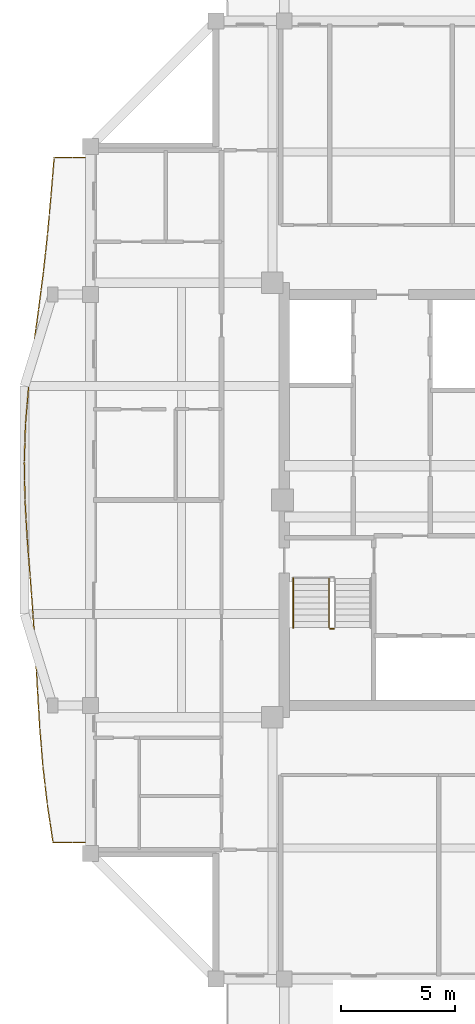
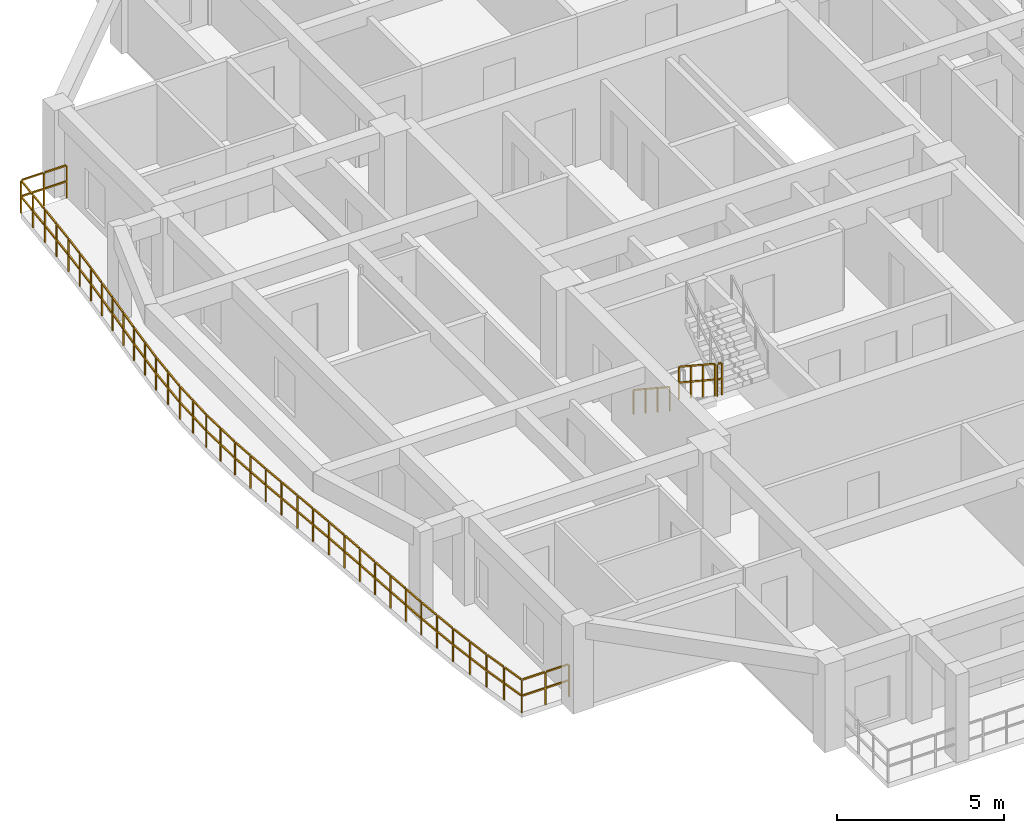
# One storey, part 8 of 11: 4 railings.
"""IFC4 building model written with IfcOpenShell, lengths in metres."""

from ifc_helpers import new_model, si_unit, direction, frame, origin, origin_2d, place, context, subcontext, project, spatial, rectangle, extrude, material, type_object, element, save


model = new_model("IFC4")

# Units and contexts
model_context = context("Model", 3, precision=1e-05, world=origin(), true_north=direction((0.0, 1.0)))
body_context = subcontext(model_context, "Body", "Model", "MODEL_VIEW")
ifc_project = project(units=[si_unit("LENGTHUNIT", "METRE"), si_unit("AREAUNIT", "SQUARE_METRE"), si_unit("VOLUMEUNIT", "CUBIC_METRE"), si_unit("PLANEANGLEUNIT", "RADIAN"), si_unit("MASSUNIT", "GRAM", prefix="KILO")], contexts=[model_context])

# Site, building, storey
site_placement = place(None, origin())
site = spatial("IfcSite", under=ifc_project, at=site_placement, CompositionType="ELEMENT")
building_placement = place(site_placement, origin())
building = spatial("IfcBuilding", under=site, at=building_placement, Name="Saelheon Loggia Tower", CompositionType="ELEMENT")
storey_placement = place(building_placement, frame((0.0, 0.0, 249.0)))
storey = spatial("IfcBuildingStorey", under=building, at=storey_placement, Name="L77", CompositionType="ELEMENT", Elevation=249.0)

# Railings
ifc_material_1 = material(Name="Architectural Precast Concrete and Laminated Glass Guard", Category="concrete")
railing_type_1 = type_object("IfcRailingType", Name="Guard_Loggia_RL_LOG", PredefinedType="BALUSTRADE", material=ifc_material_1)
railing_1_placement = place(storey_placement, frame((23.0, 42.0, 0.0)))
element("IfcRailing", 1, at=railing_1_placement, inside=storey, type_object=railing_type_1, Name="L77 West Loggia Balustrade", PredefinedType="BALUSTRADE", context=body_context, shape_type="SweptSolid", body=[
    extrude(rectangle(XDim=0.048095703125, YDim=0.048095703125, at=origin_2d()), frame((-0.033203125, 0.0, 1.19580078125), z_axis=(-1.0, 0.0, 0.0), x_axis=(0.0, -1.0, 0.0)), (0.0, 0.0, 1.0), 0.726318359375),
    extrude(rectangle(XDim=0.048095703125, YDim=0.048095703125, at=origin_2d()), frame((-0.033203125, 0.0, 0.60986328125), z_axis=(-1.0, 0.0, 0.0), x_axis=(0.0, -1.0, 0.0)), (0.0, 0.0, 1.0), 0.726318359375),
    extrude(rectangle(XDim=0.048095703125, YDim=0.048095703125, at=origin_2d()), frame((-0.826171875, 0.0, 1.19580078125), z_axis=(-1.0, 0.0, 0.0), x_axis=(0.0, -1.0, 0.0)), (0.0, 0.0, 1.0), 0.726318359375),
    extrude(rectangle(XDim=0.048095703125, YDim=0.048095703125, at=origin_2d()), frame((-0.826171875, 0.0, 0.60986328125), z_axis=(-1.0, 0.0, 0.0), x_axis=(0.0, -1.0, 0.0)), (0.0, 0.0, 1.0), 0.726318359375),
    extrude(rectangle(XDim=0.048095703125, YDim=0.048095703125, at=origin_2d()), frame((-1.58837890625, -0.033203125, 1.19580078125), z_axis=(-0.082622644176, -0.996580904227, 0.0), x_axis=(0.996580904227, -0.082622644176, 0.0)), (0.0, 0.0, 1.0), 0.769775390625),
    extrude(rectangle(XDim=0.048095703125, YDim=0.048095703125, at=origin_2d()), frame((-1.58837890625, -0.033203125, 0.60986328125), z_axis=(-0.082622644176, -0.996580904227, 0.0), x_axis=(0.996580904227, -0.082622644176, 0.0)), (0.0, 0.0, 1.0), 0.769775390625),
    extrude(rectangle(XDim=0.048095703125, YDim=0.048095703125, at=origin_2d()), frame((-1.657470703125, -0.866455078125, 1.19580078125), z_axis=(-0.082622644176, -0.996580904227, 0.0), x_axis=(0.996580904227, -0.082622644176, 0.0)), (0.0, 0.0, 1.0), 0.769775390625),
    extrude(rectangle(XDim=0.048095703125, YDim=0.048095703125, at=origin_2d()), frame((-1.657470703125, -0.866455078125, 0.60986328125), z_axis=(-0.082622644176, -0.996580904227, 0.0), x_axis=(0.996580904227, -0.082622644176, 0.0)), (0.0, 0.0, 1.0), 0.769775390625),
    extrude(rectangle(XDim=0.048095703125, YDim=0.048095703125, at=origin_2d()), frame((-1.726806640625, -1.699951171875, 1.19580078125), z_axis=(-0.089733224399, -0.995965836984, 0.0), x_axis=(0.995965836984, -0.089733224399, 0.0)), (0.0, 0.0, 1.0), 0.770263671875),
    extrude(rectangle(XDim=0.048095703125, YDim=0.048095703125, at=origin_2d()), frame((-1.726806640625, -1.699951171875, 0.60986328125), z_axis=(-0.089733224399, -0.995965836984, 0.0), x_axis=(0.995965836984, -0.089733224399, 0.0)), (0.0, 0.0, 1.0), 0.770263671875),
    extrude(rectangle(XDim=0.048095703125, YDim=0.048095703125, at=origin_2d()), frame((-1.802001953125, -2.533203125, 1.19580078125), z_axis=(-0.089733224399, -0.995965836984, 0.0), x_axis=(0.995965836984, -0.089733224399, 0.0)), (0.0, 0.0, 1.0), 0.770263671875),
    extrude(rectangle(XDim=0.048095703125, YDim=0.048095703125, at=origin_2d()), frame((-1.802001953125, -2.533203125, 0.60986328125), z_axis=(-0.089733224399, -0.995965836984, 0.0), x_axis=(0.995965836984, -0.089733224399, 0.0)), (0.0, 0.0, 1.0), 0.770263671875),
    extrude(rectangle(XDim=0.048095703125, YDim=0.048095703125, at=origin_2d()), frame((-1.877685546875, -3.3662109375, 1.19580078125), z_axis=(-0.108625418664, -0.9940827523, 0.0), x_axis=(0.9940827523, -0.108625418664, 0.0)), (0.0, 0.0, 1.0), 0.77197265625),
    extrude(rectangle(XDim=0.048095703125, YDim=0.048095703125, at=origin_2d()), frame((-1.877685546875, -3.3662109375, 0.60986328125), z_axis=(-0.108625418664, -0.9940827523, 0.0), x_axis=(0.9940827523, -0.108625418664, 0.0)), (0.0, 0.0, 1.0), 0.77197265625),
    extrude(rectangle(XDim=0.048095703125, YDim=0.048095703125, at=origin_2d()), frame((-1.96875, -4.19970703125, 1.19580078125), z_axis=(-0.108625418664, -0.9940827523, 0.0), x_axis=(0.9940827523, -0.108625418664, 0.0)), (0.0, 0.0, 1.0), 0.77197265625),
    extrude(rectangle(XDim=0.048095703125, YDim=0.048095703125, at=origin_2d()), frame((-1.96875, -4.19970703125, 0.60986328125), z_axis=(-0.108625418664, -0.9940827523, 0.0), x_axis=(0.9940827523, -0.108625418664, 0.0)), (0.0, 0.0, 1.0), 0.77197265625),
    extrude(rectangle(XDim=0.048095703125, YDim=0.048095703125, at=origin_2d()), frame((-2.060302734375, -5.032958984375, 1.19580078125), z_axis=(-0.127842269028, -0.991794512109, 0.0), x_axis=(0.991794512109, -0.127842269028, 0.0)), (0.0, 0.0, 1.0), 0.773681640625),
    extrude(rectangle(XDim=0.048095703125, YDim=0.048095703125, at=origin_2d()), frame((-2.060302734375, -5.032958984375, 0.60986328125), z_axis=(-0.127842269028, -0.991794512109, 0.0), x_axis=(0.991794512109, -0.127842269028, 0.0)), (0.0, 0.0, 1.0), 0.773681640625),
    extrude(rectangle(XDim=0.048095703125, YDim=0.048095703125, at=origin_2d()), frame((-2.167724609375, -5.866455078125, 1.19580078125), z_axis=(-0.127842269028, -0.991794512109, 0.0), x_axis=(0.991794512109, -0.127842269028, 0.0)), (0.0, 0.0, 1.0), 0.773681640625),
    extrude(rectangle(XDim=0.048095703125, YDim=0.048095703125, at=origin_2d()), frame((-2.167724609375, -5.866455078125, 0.60986328125), z_axis=(-0.127842269028, -0.991794512109, 0.0), x_axis=(0.991794512109, -0.127842269028, 0.0)), (0.0, 0.0, 1.0), 0.773681640625),
    extrude(rectangle(XDim=0.048095703125, YDim=0.048095703125, at=origin_2d()), frame((-2.275390625, -6.69970703125, 1.19580078125), z_axis=(-0.134426490543, -0.990923568516, 0.0), x_axis=(0.990923568516, -0.134426490543, 0.0)), (0.0, 0.0, 1.0), 0.7744140625),
    extrude(rectangle(XDim=0.048095703125, YDim=0.048095703125, at=origin_2d()), frame((-2.275390625, -6.69970703125, 0.60986328125), z_axis=(-0.134426490543, -0.990923568516, 0.0), x_axis=(0.990923568516, -0.134426490543, 0.0)), (0.0, 0.0, 1.0), 0.7744140625),
    extrude(rectangle(XDim=0.048095703125, YDim=0.048095703125, at=origin_2d()), frame((-2.388427734375, -7.532958984375, 1.19580078125), z_axis=(-0.134426490543, -0.990923568516, 0.0), x_axis=(0.990923568516, -0.134426490543, 0.0)), (0.0, 0.0, 1.0), 0.7744140625),
    extrude(rectangle(XDim=0.048095703125, YDim=0.048095703125, at=origin_2d()), frame((-2.388427734375, -7.532958984375, 0.60986328125), z_axis=(-0.134426490543, -0.990923568516, 0.0), x_axis=(0.990923568516, -0.134426490543, 0.0)), (0.0, 0.0, 1.0), 0.7744140625),
    extrude(rectangle(XDim=0.048095703125, YDim=0.048095703125, at=origin_2d()), frame((-2.5009765625, -8.3662109375, 1.19580078125), z_axis=(-0.120114226524, -0.992760078058, 0.0), x_axis=(0.992760078058, -0.120114226524, 0.0)), (0.0, 0.0, 1.0), 0.77294921875),
    extrude(rectangle(XDim=0.048095703125, YDim=0.048095703125, at=origin_2d()), frame((-2.5009765625, -8.3662109375, 0.60986328125), z_axis=(-0.120114226524, -0.992760078058, 0.0), x_axis=(0.992760078058, -0.120114226524, 0.0)), (0.0, 0.0, 1.0), 0.77294921875),
    extrude(rectangle(XDim=0.048095703125, YDim=0.048095703125, at=origin_2d()), frame((-2.601806640625, -9.19970703125, 1.19580078125), z_axis=(-0.120114226524, -0.992760078058, 0.0), x_axis=(0.992760078058, -0.120114226524, 0.0)), (0.0, 0.0, 1.0), 0.77294921875),
    extrude(rectangle(XDim=0.048095703125, YDim=0.048095703125, at=origin_2d()), frame((-2.601806640625, -9.19970703125, 0.60986328125), z_axis=(-0.120114226524, -0.992760078058, 0.0), x_axis=(0.992760078058, -0.120114226524, 0.0)), (0.0, 0.0, 1.0), 0.77294921875),
    extrude(rectangle(XDim=0.048095703125, YDim=0.048095703125, at=origin_2d()), frame((-2.701416015625, -10.033203125, 1.19580078125), z_axis=(-0.083637374408, -0.996496256692, 0.0), x_axis=(0.996496256692, -0.083637374408, 0.0)), (0.0, 0.0, 1.0), 0.769775390625),
    extrude(rectangle(XDim=0.048095703125, YDim=0.048095703125, at=origin_2d()), frame((-2.701416015625, -10.033203125, 0.60986328125), z_axis=(-0.083637374408, -0.996496256692, 0.0), x_axis=(0.996496256692, -0.083637374408, 0.0)), (0.0, 0.0, 1.0), 0.769775390625),
    extrude(rectangle(XDim=0.048095703125, YDim=0.048095703125, at=origin_2d()), frame((-2.771484375, -10.866455078125, 1.19580078125), z_axis=(-0.083637374408, -0.996496256692, 0.0), x_axis=(0.996496256692, -0.083637374408, 0.0)), (0.0, 0.0, 1.0), 0.769775390625),
    extrude(rectangle(XDim=0.048095703125, YDim=0.048095703125, at=origin_2d()), frame((-2.771484375, -10.866455078125, 0.60986328125), z_axis=(-0.083637374408, -0.996496256692, 0.0), x_axis=(0.996496256692, -0.083637374408, 0.0)), (0.0, 0.0, 1.0), 0.769775390625),
    extrude(rectangle(XDim=0.048095703125, YDim=0.048095703125, at=origin_2d()), frame((-2.839599609375, -11.699951171875, 1.19580078125), z_axis=(-0.032944311089, -0.999457188861, 0.0), x_axis=(0.999457188861, -0.032944311089, 0.0)), (0.0, 0.0, 1.0), 0.767333984375),
    extrude(rectangle(XDim=0.048095703125, YDim=0.048095703125, at=origin_2d()), frame((-2.839599609375, -11.699951171875, 0.60986328125), z_axis=(-0.032944311089, -0.999457188861, 0.0), x_axis=(0.999457188861, -0.032944311089, 0.0)), (0.0, 0.0, 1.0), 0.767333984375),
    extrude(rectangle(XDim=0.048095703125, YDim=0.048095703125, at=origin_2d()), frame((-2.8671875, -12.533203125, 1.19580078125), z_axis=(-0.032944311089, -0.999457188861, 0.0), x_axis=(0.999457188861, -0.032944311089, 0.0)), (0.0, 0.0, 1.0), 0.767333984375),
    extrude(rectangle(XDim=0.048095703125, YDim=0.048095703125, at=origin_2d()), frame((-2.8671875, -12.533203125, 0.60986328125), z_axis=(-0.032944311089, -0.999457188861, 0.0), x_axis=(0.999457188861, -0.032944311089, 0.0)), (0.0, 0.0, 1.0), 0.767333984375),
    extrude(rectangle(XDim=0.048095703125, YDim=0.048095703125, at=origin_2d()), frame((-2.892822265625, -13.366455078125, 1.19580078125), z_axis=(0.018892189386, -0.999821526664, 0.0), x_axis=(0.999821526664, 0.018892189386, 0.0)), (0.0, 0.0, 1.0), 0.76708984375),
    extrude(rectangle(XDim=0.048095703125, YDim=0.048095703125, at=origin_2d()), frame((-2.892822265625, -13.366455078125, 0.60986328125), z_axis=(0.018892189386, -0.999821526664, 0.0), x_axis=(0.999821526664, 0.018892189386, 0.0)), (0.0, 0.0, 1.0), 0.76708984375),
    extrude(rectangle(XDim=0.048095703125, YDim=0.048095703125, at=origin_2d()), frame((-2.877197265625, -14.199951171875, 1.19580078125), z_axis=(0.018892189386, -0.999821526664, 0.0), x_axis=(0.999821526664, 0.018892189386, 0.0)), (0.0, 0.0, 1.0), 0.76708984375),
    extrude(rectangle(XDim=0.048095703125, YDim=0.048095703125, at=origin_2d()), frame((-2.877197265625, -14.199951171875, 0.60986328125), z_axis=(0.018892189386, -0.999821526664, 0.0), x_axis=(0.999821526664, 0.018892189386, 0.0)), (0.0, 0.0, 1.0), 0.76708984375),
    extrude(rectangle(XDim=0.048095703125, YDim=0.048095703125, at=origin_2d()), frame((-2.860107421875, -15.033203125, 1.19580078125), z_axis=(0.057761901726, -0.998330387552, 0.0), x_axis=(0.998330387552, 0.057761901726, 0.0)), (0.0, 0.0, 1.0), 0.768310546875),
    extrude(rectangle(XDim=0.048095703125, YDim=0.048095703125, at=origin_2d()), frame((-2.860107421875, -15.033203125, 0.60986328125), z_axis=(0.057761901726, -0.998330387552, 0.0), x_axis=(0.998330387552, 0.057761901726, 0.0)), (0.0, 0.0, 1.0), 0.768310546875),
    extrude(rectangle(XDim=0.048095703125, YDim=0.048095703125, at=origin_2d()), frame((-2.81201171875, -15.866455078125, 1.19580078125), z_axis=(0.057761901726, -0.998330387552, 0.0), x_axis=(0.998330387552, 0.057761901726, 0.0)), (0.0, 0.0, 1.0), 0.768310546875),
    extrude(rectangle(XDim=0.048095703125, YDim=0.048095703125, at=origin_2d()), frame((-2.81201171875, -15.866455078125, 0.60986328125), z_axis=(0.057761901726, -0.998330387552, 0.0), x_axis=(0.998330387552, 0.057761901726, 0.0)), (0.0, 0.0, 1.0), 0.768310546875),
    extrude(rectangle(XDim=0.048095703125, YDim=0.048095703125, at=origin_2d()), frame((-2.76318359375, -16.699951171875, 1.19580078125), z_axis=(0.075959226601, -0.997110924569, 0.0), x_axis=(0.997110924569, 0.075959226601, 0.0)), (0.0, 0.0, 1.0), 0.769287109375),
    extrude(rectangle(XDim=0.048095703125, YDim=0.048095703125, at=origin_2d()), frame((-2.76318359375, -16.699951171875, 0.60986328125), z_axis=(0.075959226601, -0.997110924569, 0.0), x_axis=(0.997110924569, 0.075959226601, 0.0)), (0.0, 0.0, 1.0), 0.769287109375),
    extrude(rectangle(XDim=0.048095703125, YDim=0.048095703125, at=origin_2d()), frame((-2.69970703125, -17.533203125, 1.19580078125), z_axis=(0.075959226601, -0.997110924569, 0.0), x_axis=(0.997110924569, 0.075959226601, 0.0)), (0.0, 0.0, 1.0), 0.769287109375),
    extrude(rectangle(XDim=0.048095703125, YDim=0.048095703125, at=origin_2d()), frame((-2.69970703125, -17.533203125, 0.60986328125), z_axis=(0.075959226601, -0.997110924569, 0.0), x_axis=(0.997110924569, 0.075959226601, 0.0)), (0.0, 0.0, 1.0), 0.769287109375),
    extrude(rectangle(XDim=0.048095703125, YDim=0.048095703125, at=origin_2d()), frame((-2.63623046875, -18.366455078125, 1.19580078125), z_axis=(0.075076807606, -0.997177753943, 0.0), x_axis=(0.997177753943, 0.075076807606, 0.0)), (0.0, 0.0, 1.0), 0.769287109375),
    extrude(rectangle(XDim=0.048095703125, YDim=0.048095703125, at=origin_2d()), frame((-2.63623046875, -18.366455078125, 0.60986328125), z_axis=(0.075076807606, -0.997177753943, 0.0), x_axis=(0.997177753943, 0.075076807606, 0.0)), (0.0, 0.0, 1.0), 0.769287109375),
    extrude(rectangle(XDim=0.048095703125, YDim=0.048095703125, at=origin_2d()), frame((-2.573486328125, -19.19970703125, 1.19580078125), z_axis=(0.075076807606, -0.997177753943, 0.0), x_axis=(0.997177753943, 0.075076807606, 0.0)), (0.0, 0.0, 1.0), 0.769287109375),
    extrude(rectangle(XDim=0.048095703125, YDim=0.048095703125, at=origin_2d()), frame((-2.573486328125, -19.19970703125, 0.60986328125), z_axis=(0.075076807606, -0.997177753943, 0.0), x_axis=(0.997177753943, 0.075076807606, 0.0)), (0.0, 0.0, 1.0), 0.769287109375),
    extrude(rectangle(XDim=0.048095703125, YDim=0.048095703125, at=origin_2d()), frame((-2.510986328125, -20.033203125, 1.19580078125), z_axis=(0.063879811167, -0.997957599162, 0.0), x_axis=(0.997957599162, 0.063879811167, 0.0)), (0.0, 0.0, 1.0), 0.7685546875),
    extrude(rectangle(XDim=0.048095703125, YDim=0.048095703125, at=origin_2d()), frame((-2.510986328125, -20.033203125, 0.60986328125), z_axis=(0.063879811167, -0.997957599162, 0.0), x_axis=(0.997957599162, 0.063879811167, 0.0)), (0.0, 0.0, 1.0), 0.7685546875),
    extrude(rectangle(XDim=0.048095703125, YDim=0.048095703125, at=origin_2d()), frame((-2.457763671875, -20.866455078125, 1.19580078125), z_axis=(0.063879811167, -0.997957599162, 0.0), x_axis=(0.997957599162, 0.063879811167, 0.0)), (0.0, 0.0, 1.0), 0.7685546875),
    extrude(rectangle(XDim=0.048095703125, YDim=0.048095703125, at=origin_2d()), frame((-2.457763671875, -20.866455078125, 0.60986328125), z_axis=(0.063879811167, -0.997957599162, 0.0), x_axis=(0.997957599162, 0.063879811167, 0.0)), (0.0, 0.0, 1.0), 0.7685546875),
    extrude(rectangle(XDim=0.048095703125, YDim=0.048095703125, at=origin_2d()), frame((-2.40478515625, -21.699951171875, 1.19580078125), z_axis=(0.055000126962, -0.998486347445, 0.0), x_axis=(0.998486347445, 0.055000126962, 0.0)), (0.0, 0.0, 1.0), 0.76806640625),
    extrude(rectangle(XDim=0.048095703125, YDim=0.048095703125, at=origin_2d()), frame((-2.40478515625, -21.699951171875, 0.60986328125), z_axis=(0.055000126962, -0.998486347445, 0.0), x_axis=(0.998486347445, 0.055000126962, 0.0)), (0.0, 0.0, 1.0), 0.76806640625),
    extrude(rectangle(XDim=0.048095703125, YDim=0.048095703125, at=origin_2d()), frame((-2.35888671875, -22.533203125, 1.19580078125), z_axis=(0.055000126962, -0.998486347445, 0.0), x_axis=(0.998486347445, 0.055000126962, 0.0)), (0.0, 0.0, 1.0), 0.76806640625),
    extrude(rectangle(XDim=0.048095703125, YDim=0.048095703125, at=origin_2d()), frame((-2.35888671875, -22.533203125, 0.60986328125), z_axis=(0.055000126962, -0.998486347445, 0.0), x_axis=(0.998486347445, 0.055000126962, 0.0)), (0.0, 0.0, 1.0), 0.76806640625),
    extrude(rectangle(XDim=0.048095703125, YDim=0.048095703125, at=origin_2d()), frame((-2.312744140625, -23.366455078125, 1.19580078125), z_axis=(0.059510570368, -0.99822767544, 0.0), x_axis=(0.99822767544, 0.059510570368, 0.0)), (0.0, 0.0, 1.0), 0.768310546875),
    extrude(rectangle(XDim=0.048095703125, YDim=0.048095703125, at=origin_2d()), frame((-2.312744140625, -23.366455078125, 0.60986328125), z_axis=(0.059510570368, -0.99822767544, 0.0), x_axis=(0.99822767544, 0.059510570368, 0.0)), (0.0, 0.0, 1.0), 0.768310546875),
    extrude(rectangle(XDim=0.048095703125, YDim=0.048095703125, at=origin_2d()), frame((-2.262939453125, -24.19970703125, 1.19580078125), z_axis=(0.059510570368, -0.99822767544, 0.0), x_axis=(0.99822767544, 0.059510570368, 0.0)), (0.0, 0.0, 1.0), 0.768310546875),
    extrude(rectangle(XDim=0.048095703125, YDim=0.048095703125, at=origin_2d()), frame((-2.262939453125, -24.19970703125, 0.60986328125), z_axis=(0.059510570368, -0.99822767544, 0.0), x_axis=(0.99822767544, 0.059510570368, 0.0)), (0.0, 0.0, 1.0), 0.768310546875),
    extrude(rectangle(XDim=0.048095703125, YDim=0.048095703125, at=origin_2d()), frame((-2.212646484375, -25.033203125, 1.19580078125), z_axis=(0.081317613755, -0.996688238966, 0.0), x_axis=(0.996688238966, 0.081317613755, 0.0)), (0.0, 0.0, 1.0), 0.769775390625),
    extrude(rectangle(XDim=0.048095703125, YDim=0.048095703125, at=origin_2d()), frame((-2.212646484375, -25.033203125, 0.60986328125), z_axis=(0.081317613755, -0.996688238966, 0.0), x_axis=(0.996688238966, 0.081317613755, 0.0)), (0.0, 0.0, 1.0), 0.769775390625),
    extrude(rectangle(XDim=0.048095703125, YDim=0.048095703125, at=origin_2d()), frame((-2.14453125, -25.866455078125, 1.19580078125), z_axis=(0.081317613755, -0.996688238966, 0.0), x_axis=(0.996688238966, 0.081317613755, 0.0)), (0.0, 0.0, 1.0), 0.769775390625),
    extrude(rectangle(XDim=0.048095703125, YDim=0.048095703125, at=origin_2d()), frame((-2.14453125, -25.866455078125, 0.60986328125), z_axis=(0.081317613755, -0.996688238966, 0.0), x_axis=(0.996688238966, 0.081317613755, 0.0)), (0.0, 0.0, 1.0), 0.769775390625),
    extrude(rectangle(XDim=0.048095703125, YDim=0.048095703125, at=origin_2d()), frame((-2.075439453125, -26.69970703125, 1.19580078125), z_axis=(0.115110168559, -0.993352731458, 0.0), x_axis=(0.993352731458, 0.115110168559, 0.0)), (0.0, 0.0, 1.0), 0.7724609375),
    extrude(rectangle(XDim=0.048095703125, YDim=0.048095703125, at=origin_2d()), frame((-2.075439453125, -26.69970703125, 0.60986328125), z_axis=(0.115110168559, -0.993352731458, 0.0), x_axis=(0.993352731458, 0.115110168559, 0.0)), (0.0, 0.0, 1.0), 0.7724609375),
    extrude(rectangle(XDim=0.048095703125, YDim=0.048095703125, at=origin_2d()), frame((-1.97900390625, -27.532958984375, 1.19580078125), z_axis=(0.115110168559, -0.993352731458, 0.0), x_axis=(0.993352731458, 0.115110168559, 0.0)), (0.0, 0.0, 1.0), 0.7724609375),
    extrude(rectangle(XDim=0.048095703125, YDim=0.048095703125, at=origin_2d()), frame((-1.97900390625, -27.532958984375, 0.60986328125), z_axis=(0.115110168559, -0.993352731458, 0.0), x_axis=(0.993352731458, 0.115110168559, 0.0)), (0.0, 0.0, 1.0), 0.7724609375),
    extrude(rectangle(XDim=0.048095703125, YDim=0.048095703125, at=origin_2d()), frame((-1.88134765625, -28.3662109375, 1.19580078125), z_axis=(0.149041602908, -0.988830926196, 0.0), x_axis=(0.988830926196, 0.149041602908, 0.0)), (0.0, 0.0, 1.0), 0.7763671875),
    extrude(rectangle(XDim=0.048095703125, YDim=0.048095703125, at=origin_2d()), frame((-1.88134765625, -28.3662109375, 0.60986328125), z_axis=(0.149041602908, -0.988830926196, 0.0), x_axis=(0.988830926196, 0.149041602908, 0.0)), (0.0, 0.0, 1.0), 0.7763671875),
    extrude(rectangle(XDim=0.048095703125, YDim=0.048095703125, at=origin_2d()), frame((-1.755615234375, -29.199462890625, 1.19580078125), z_axis=(0.149041602908, -0.988830926196, 0.0), x_axis=(0.988830926196, 0.149041602908, 0.0)), (0.0, 0.0, 1.0), 0.7763671875),
    extrude(rectangle(XDim=0.048095703125, YDim=0.048095703125, at=origin_2d()), frame((-1.755615234375, -29.199462890625, 0.60986328125), z_axis=(0.149041602908, -0.988830926196, 0.0), x_axis=(0.988830926196, 0.149041602908, 0.0)), (0.0, 0.0, 1.0), 0.7763671875),
    extrude(rectangle(XDim=0.048095703125, YDim=0.048095703125, at=origin_2d()), frame((-1.601806640625, -30.0, 1.19580078125), z_axis=(1.0, 0.0, 0.0), x_axis=(0.0, 1.0, 0.0)), (0.0, 0.0, 1.0), 0.7509765625),
    extrude(rectangle(XDim=0.048095703125, YDim=0.048095703125, at=origin_2d()), frame((-1.601806640625, -30.0, 0.60986328125), z_axis=(1.0, 0.0, 0.0), x_axis=(0.0, 1.0, 0.0)), (0.0, 0.0, 1.0), 0.7509765625),
    extrude(rectangle(XDim=0.048095703125, YDim=0.048095703125, at=origin_2d()), frame((-0.7841796875, -30.0, 1.19580078125), z_axis=(1.0, 0.0, 0.0), x_axis=(0.0, 1.0, 0.0)), (0.0, 0.0, 1.0), 0.7509765625),
    extrude(rectangle(XDim=0.048095703125, YDim=0.048095703125, at=origin_2d()), frame((-0.7841796875, -30.0, 0.60986328125), z_axis=(1.0, 0.0, 0.0), x_axis=(0.0, 1.0, 0.0)), (0.0, 0.0, 1.0), 0.7509765625),
    extrude(rectangle(XDim=0.0419921875, YDim=0.0419921875, at=origin_2d()), origin(), (0.0, 0.0, 1.0), 1.16796875),
    extrude(rectangle(XDim=0.0419921875, YDim=0.0419921875, at=origin_2d()), frame((-0.79296875, 0.0, 0.0)), (0.0, 0.0, 1.0), 1.16796875),
    extrude(rectangle(XDim=0.0419921875, YDim=0.0419921875, at=origin_2d()), frame((-1.585693359375, 0.0, 0.0)), (0.0, 0.0, 1.0), 1.16796875),
    extrude(rectangle(XDim=0.0419921875, YDim=0.0419921875, at=origin_2d()), frame((-1.65478515625, -0.83349609375, 0.0)), (0.0, 0.0, 1.0), 1.16796875),
    extrude(rectangle(XDim=0.0419921875, YDim=0.0419921875, at=origin_2d()), frame((-1.723876953125, -1.666748046875, 0.0)), (0.0, 0.0, 1.0), 1.16796875),
    extrude(rectangle(XDim=0.0419921875, YDim=0.0419921875, at=origin_2d()), frame((-1.798828125, -2.5, 0.0)), (0.0, 0.0, 1.0), 1.16796875),
    extrude(rectangle(XDim=0.0419921875, YDim=0.0419921875, at=origin_2d()), frame((-1.8740234375, -3.333251953125, 0.0)), (0.0, 0.0, 1.0), 1.16796875),
    extrude(rectangle(XDim=0.0419921875, YDim=0.0419921875, at=origin_2d()), frame((-1.965087890625, -4.16650390625, 0.0)), (0.0, 0.0, 1.0), 1.16796875),
    extrude(rectangle(XDim=0.0419921875, YDim=0.0419921875, at=origin_2d()), frame((-2.05615234375, -5.0, 0.0)), (0.0, 0.0, 1.0), 1.16796875),
    extrude(rectangle(XDim=0.0419921875, YDim=0.0419921875, at=origin_2d()), frame((-2.16357421875, -5.83349609375, 0.0)), (0.0, 0.0, 1.0), 1.16796875),
    extrude(rectangle(XDim=0.0419921875, YDim=0.0419921875, at=origin_2d()), frame((-2.27099609375, -6.666748046875, 0.0)), (0.0, 0.0, 1.0), 1.16796875),
    extrude(rectangle(XDim=0.0419921875, YDim=0.0419921875, at=origin_2d()), frame((-2.384033203125, -7.5, 0.0)), (0.0, 0.0, 1.0), 1.16796875),
    extrude(rectangle(XDim=0.0419921875, YDim=0.0419921875, at=origin_2d()), frame((-2.4970703125, -8.333251953125, 0.0)), (0.0, 0.0, 1.0), 1.16796875),
    extrude(rectangle(XDim=0.0419921875, YDim=0.0419921875, at=origin_2d()), frame((-2.597900390625, -9.16650390625, 0.0)), (0.0, 0.0, 1.0), 1.16796875),
    extrude(rectangle(XDim=0.0419921875, YDim=0.0419921875, at=origin_2d()), frame((-2.69873046875, -10.0, 0.0)), (0.0, 0.0, 1.0), 1.16796875),
    extrude(rectangle(XDim=0.0419921875, YDim=0.0419921875, at=origin_2d()), frame((-2.7685546875, -10.83349609375, 0.0)), (0.0, 0.0, 1.0), 1.16796875),
    extrude(rectangle(XDim=0.0419921875, YDim=0.0419921875, at=origin_2d()), frame((-2.838623046875, -11.666748046875, 0.0)), (0.0, 0.0, 1.0), 1.16796875),
    extrude(rectangle(XDim=0.0419921875, YDim=0.0419921875, at=origin_2d()), frame((-2.8662109375, -12.5, 0.0)), (0.0, 0.0, 1.0), 1.16796875),
    extrude(rectangle(XDim=0.0419921875, YDim=0.0419921875, at=origin_2d()), frame((-2.8935546875, -13.333251953125, 0.0)), (0.0, 0.0, 1.0), 1.16796875),
    extrude(rectangle(XDim=0.0419921875, YDim=0.0419921875, at=origin_2d()), frame((-2.8779296875, -14.16650390625, 0.0)), (0.0, 0.0, 1.0), 1.16796875),
    extrude(rectangle(XDim=0.0419921875, YDim=0.0419921875, at=origin_2d()), frame((-2.862060546875, -15.0, 0.0)), (0.0, 0.0, 1.0), 1.16796875),
    extrude(rectangle(XDim=0.0419921875, YDim=0.0419921875, at=origin_2d()), frame((-2.81396484375, -15.83349609375, 0.0)), (0.0, 0.0, 1.0), 1.16796875),
    extrude(rectangle(XDim=0.0419921875, YDim=0.0419921875, at=origin_2d()), frame((-2.765625, -16.666748046875, 0.0)), (0.0, 0.0, 1.0), 1.16796875),
    extrude(rectangle(XDim=0.0419921875, YDim=0.0419921875, at=origin_2d()), frame((-2.7021484375, -17.5, 0.0)), (0.0, 0.0, 1.0), 1.16796875),
    extrude(rectangle(XDim=0.0419921875, YDim=0.0419921875, at=origin_2d()), frame((-2.638671875, -18.333251953125, 0.0)), (0.0, 0.0, 1.0), 1.16796875),
    extrude(rectangle(XDim=0.0419921875, YDim=0.0419921875, at=origin_2d()), frame((-2.575927734375, -19.16650390625, 0.0)), (0.0, 0.0, 1.0), 1.16796875),
    extrude(rectangle(XDim=0.0419921875, YDim=0.0419921875, at=origin_2d()), frame((-2.51318359375, -20.0, 0.0)), (0.0, 0.0, 1.0), 1.16796875),
    extrude(rectangle(XDim=0.0419921875, YDim=0.0419921875, at=origin_2d()), frame((-2.4599609375, -20.83349609375, 0.0)), (0.0, 0.0, 1.0), 1.16796875),
    extrude(rectangle(XDim=0.0419921875, YDim=0.0419921875, at=origin_2d()), frame((-2.406494140625, -21.666748046875, 0.0)), (0.0, 0.0, 1.0), 1.16796875),
    extrude(rectangle(XDim=0.0419921875, YDim=0.0419921875, at=origin_2d()), frame((-2.360595703125, -22.5, 0.0)), (0.0, 0.0, 1.0), 1.16796875),
    extrude(rectangle(XDim=0.0419921875, YDim=0.0419921875, at=origin_2d()), frame((-2.314697265625, -23.333251953125, 0.0)), (0.0, 0.0, 1.0), 1.16796875),
    extrude(rectangle(XDim=0.0419921875, YDim=0.0419921875, at=origin_2d()), frame((-2.26513671875, -24.16650390625, 0.0)), (0.0, 0.0, 1.0), 1.16796875),
    extrude(rectangle(XDim=0.0419921875, YDim=0.0419921875, at=origin_2d()), frame((-2.21533203125, -25.0, 0.0)), (0.0, 0.0, 1.0), 1.16796875),
    extrude(rectangle(XDim=0.0419921875, YDim=0.0419921875, at=origin_2d()), frame((-2.1474609375, -25.83349609375, 0.0)), (0.0, 0.0, 1.0), 1.16796875),
    extrude(rectangle(XDim=0.0419921875, YDim=0.0419921875, at=origin_2d()), frame((-2.079345703125, -26.666748046875, 0.0)), (0.0, 0.0, 1.0), 1.16796875),
    extrude(rectangle(XDim=0.0419921875, YDim=0.0419921875, at=origin_2d()), frame((-1.98291015625, -27.5, 0.0)), (0.0, 0.0, 1.0), 1.16796875),
    extrude(rectangle(XDim=0.0419921875, YDim=0.0419921875, at=origin_2d()), frame((-1.88623046875, -28.333251953125, 0.0)), (0.0, 0.0, 1.0), 1.16796875),
    extrude(rectangle(XDim=0.0419921875, YDim=0.0419921875, at=origin_2d()), frame((-1.7607421875, -29.16650390625, 0.0)), (0.0, 0.0, 1.0), 1.16796875),
    extrude(rectangle(XDim=0.0419921875, YDim=0.0419921875, at=origin_2d()), frame((-1.635009765625, -30.0, 0.0)), (0.0, 0.0, 1.0), 1.16796875),
    extrude(rectangle(XDim=0.0419921875, YDim=0.0419921875, at=origin_2d()), frame((-0.8173828125, -30.0, 0.0)), (0.0, 0.0, 1.0), 1.16796875),
    extrude(rectangle(XDim=0.0419921875, YDim=0.0419921875, at=origin_2d()), frame((0.0, -30.0, 0.0)), (0.0, 0.0, 1.0), 1.16796875),
])
ifc_material_2 = material(Name="Galvanised Steel S275 Stairwell Guardrail", Category="steel")
railing_type_2 = type_object("IfcRailingType", Name="Guard_StairWell_RL_STG", PredefinedType="GUARDRAIL", material=ifc_material_2)
railing_2_placement = place(storey_placement, frame((33.4599609375, 23.570068359375, 0.177734375)))
element("IfcRailing", 2, at=railing_2_placement, inside=storey, type_object=railing_type_2, Name="L77 ST5 stair guard 1", PredefinedType="GUARDRAIL", context=body_context, shape_type="SweptSolid", body=[
    extrude(rectangle(XDim=0.048095703125, YDim=0.048095703125, at=origin_2d()), frame((0.0, -0.02783203125, 1.194091796875), z_axis=(0.0, -0.835202589385, 0.549942392151), x_axis=(1.0, 0.0, 0.0)), (0.0, 0.0, 1.0), 0.795654296875),
    extrude(rectangle(XDim=0.048095703125, YDim=0.048095703125, at=origin_2d()), frame((0.0, -0.02783203125, 0.6181640625), z_axis=(0.0, -0.835202589385, 0.549942392151), x_axis=(1.0, 0.0, 0.0)), (0.0, 0.0, 1.0), 0.795654296875),
    extrude(rectangle(XDim=0.048095703125, YDim=0.048095703125, at=origin_2d()), frame((0.0, -0.747802734375, 1.668212890625), z_axis=(0.0, -0.835202589385, 0.549942392151), x_axis=(1.0, 0.0, 0.0)), (0.0, 0.0, 1.0), 0.795654296875),
    extrude(rectangle(XDim=0.048095703125, YDim=0.048095703125, at=origin_2d()), frame((0.0, -0.747802734375, 1.09228515625), z_axis=(0.0, -0.835202589385, 0.549942392151), x_axis=(1.0, 0.0, 0.0)), (0.0, 0.0, 1.0), 0.795654296875),
    extrude(rectangle(XDim=0.048095703125, YDim=0.048095703125, at=origin_2d()), frame((0.0, -1.4677734375, 2.142333984375), z_axis=(0.0, -0.835202589385, 0.549942392151), x_axis=(1.0, 0.0, 0.0)), (0.0, 0.0, 1.0), 0.795654296875),
    extrude(rectangle(XDim=0.048095703125, YDim=0.048095703125, at=origin_2d()), frame((0.0, -1.4677734375, 1.56640625), z_axis=(0.0, -0.835202589385, 0.549942392151), x_axis=(1.0, 0.0, 0.0)), (0.0, 0.0, 1.0), 0.795654296875),
    extrude(rectangle(XDim=0.0419921875, YDim=0.0419921875, at=origin_2d()), origin(), (0.0, 0.0, 1.0), 1.14794921875),
    extrude(rectangle(XDim=0.0419921875, YDim=0.0419921875, at=origin_2d()), frame((0.0, -0.719970703125, 0.47412109375)), (0.0, 0.0, 1.0), 1.14794921875),
    extrude(rectangle(XDim=0.0419921875, YDim=0.0419921875, at=origin_2d()), frame((0.0, -1.440185546875, 0.9482421875)), (0.0, 0.0, 1.0), 1.14794921875),
    extrude(rectangle(XDim=0.0419921875, YDim=0.0419921875, at=origin_2d()), frame((0.0, -2.16015625, 1.42236328125)), (0.0, 0.0, 1.0), 1.14794921875),
])
railing_3_placement = place(storey_placement, frame((33.510009765625, 21.360107421875, 1.60009765625)))
element("IfcRailing", 3, at=railing_3_placement, inside=storey, type_object=railing_type_2, Name="L77 ST5 stair guard 2", PredefinedType="GUARDRAIL", context=body_context, shape_type="SweptSolid", body=[
    extrude(rectangle(XDim=0.048095703125, YDim=0.048095703125, at=origin_2d()), frame((0.033203125, 0.0, 1.17578125), z_axis=(1.0, 0.0, 0.0), x_axis=(0.0, 1.0, 0.0)), (0.0, 0.0, 1.0), 0.093505859375),
    extrude(rectangle(XDim=0.048095703125, YDim=0.048095703125, at=origin_2d()), frame((0.033203125, 0.0, 0.60009765625), z_axis=(1.0, 0.0, 0.0), x_axis=(0.0, 1.0, 0.0)), (0.0, 0.0, 1.0), 0.093505859375),
    extrude(rectangle(XDim=0.0419921875, YDim=0.0419921875, at=origin_2d()), origin(), (0.0, 0.0, 1.0), 1.14794921875),
    extrude(rectangle(XDim=0.0419921875, YDim=0.0419921875, at=origin_2d()), frame((0.159912109375, 0.0, 0.0)), (0.0, 0.0, 1.0), 1.14794921875),
])
ifc_material_3 = material(Name="Stainless Steel 304 Tubular Handrail", Category="steel")
railing_type_3 = type_object("IfcRailingType", Name="Handrail_Stair_RL_HR1", PredefinedType="HANDRAIL", material=ifc_material_3)
railing_4_placement = place(storey_placement, frame((31.89990234375, 23.570068359375, 0.177734375)))
element("IfcRailing", 4, at=railing_4_placement, inside=storey, type_object=railing_type_3, Name="L77 ST5 stair handrail 1", PredefinedType="HANDRAIL", context=body_context, shape_type="SweptSolid", body=[
    extrude(rectangle(XDim=0.048095703125, YDim=0.048095703125, at=origin_2d()), frame((0.0, -0.02783203125, 0.89404296875), z_axis=(0.0, -0.835202589385, 0.549942392151), x_axis=(1.0, 0.0, 0.0)), (0.0, 0.0, 1.0), 0.795654296875),
    extrude(rectangle(XDim=0.048095703125, YDim=0.048095703125, at=origin_2d()), frame((0.0, -0.747802734375, 1.3681640625), z_axis=(0.0, -0.835202589385, 0.549942392151), x_axis=(1.0, 0.0, 0.0)), (0.0, 0.0, 1.0), 0.795654296875),
    extrude(rectangle(XDim=0.048095703125, YDim=0.048095703125, at=origin_2d()), frame((0.0, -1.4677734375, 1.84228515625), z_axis=(0.0, -0.835202589385, 0.549942392151), x_axis=(1.0, 0.0, 0.0)), (0.0, 0.0, 1.0), 0.795654296875),
    extrude(rectangle(XDim=0.0419921875, YDim=0.0419921875, at=origin_2d()), origin(), (0.0, 0.0, 1.0), 0.847900390625),
    extrude(rectangle(XDim=0.0419921875, YDim=0.0419921875, at=origin_2d()), frame((0.0, -0.719970703125, 0.47412109375)), (0.0, 0.0, 1.0), 0.847900390625),
    extrude(rectangle(XDim=0.0419921875, YDim=0.0419921875, at=origin_2d()), frame((0.0, -1.440185546875, 0.9482421875)), (0.0, 0.0, 1.0), 0.847900390625),
    extrude(rectangle(XDim=0.0419921875, YDim=0.0419921875, at=origin_2d()), frame((0.0, -2.16015625, 1.42236328125)), (0.0, 0.0, 1.0), 0.847900390625),
])

save(model, "model.ifc")
